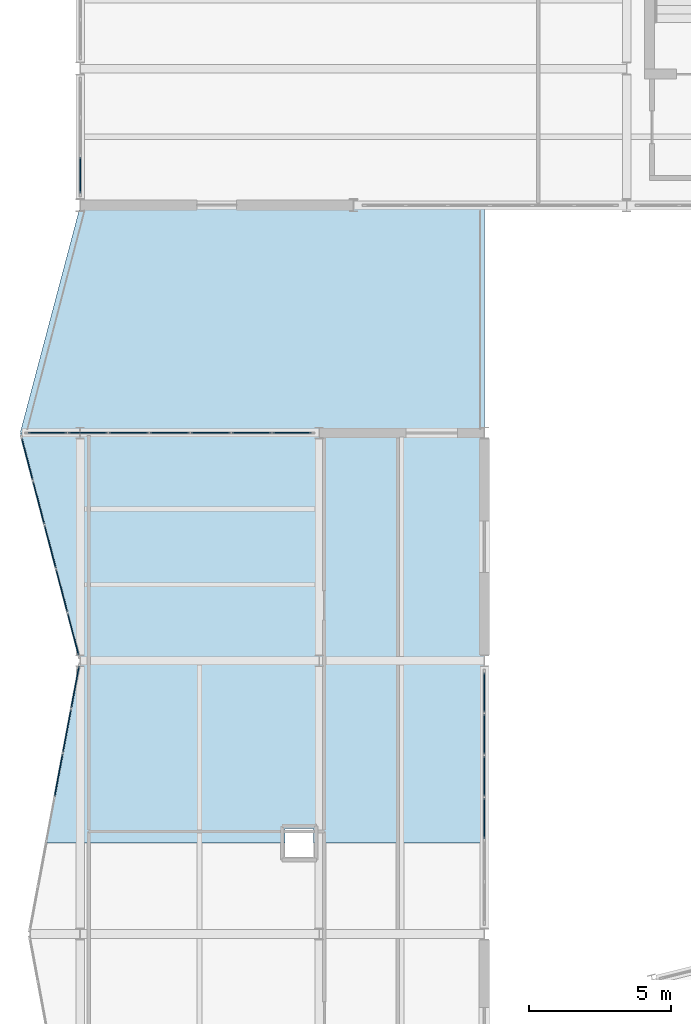
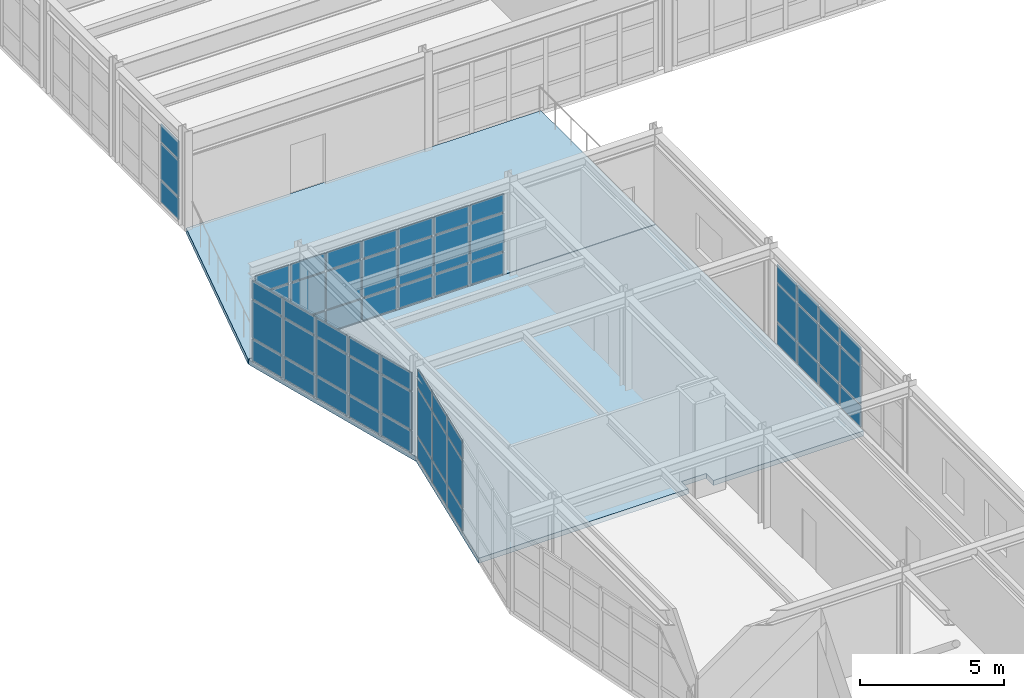
# One storey, part 30 of 47: 60 plates, 2 slabs, 5 elements without a shape of their own.
"""IFC4 building model written with IfcOpenShell, lengths in metres."""

import ifcopenshell
import ifcopenshell.guid

model = None  # the IFC model being written
_history = None  # IfcOwnerHistory: only IFC2X3 demands one
_inside = {}  # id of a spatial element -> (the spatial element, [elements in it])
_under = {}  # id of a project, library or spatial element -> (it, [spatial elements below it])
_declared = {}  # id of a project -> (the project, [libraries it declares])
_typed = {}  # id of a type object -> (the type object, [elements of that type])
_made_of = {}  # id of a material, layer set ... -> (it, [elements and type objects made of it])


def new_model(schema):
    """Start an empty IFC model of exactly this schema.

    Asked for "IFC4X3", IfcOpenShell would pick the latest addendum, in which some entities
    have other attributes; the version numbers below select the first issue.
    IFC2X3 requires an IfcOwnerHistory on every rooted entity: one is made here for all.
    """
    global model, _history
    if schema == "IFC4X3":
        model = ifcopenshell.file(schema_version=(4, 3, 0, 0))
    else:
        model = ifcopenshell.file(schema=schema)
    _inside.clear()
    _under.clear()
    _declared.clear()
    _typed.clear()
    _made_of.clear()
    _history = None
    if model.schema == "IFC2X3":
        org = make("IfcOrganization", Name="unknown")
        user = make(
            "IfcPersonAndOrganization",
            ThePerson=make("IfcPerson", FamilyName="unknown"),
            TheOrganization=org,
        )
        app = make(
            "IfcApplication",
            ApplicationDeveloper=org,
            Version="unknown",
            ApplicationFullName="unknown",
            ApplicationIdentifier="unknown",
        )
        _history = make(
            "IfcOwnerHistory",
            OwningUser=user,
            OwningApplication=app,
            ChangeAction="ADDED",
            CreationDate=0,
        )
    return model


def make(cls, **values):
    """One entity of the class cls with the attributes given. An attribute that is None is left unset."""
    return model.create_entity(
        cls, **{name: value for name, value in values.items() if value is not None}
    )


def rooted(cls, **values):
    """An entity with a GlobalId (a new one), such as an element, a storey or a relation."""
    return make(cls, GlobalId=ifcopenshell.guid.new(), OwnerHistory=_history, **values)


def si_unit(unit_type, name, prefix=None):
    """IfcSIUnit, for example si_unit("LENGTHUNIT", "METRE", prefix="MILLI")."""
    return make("IfcSIUnit", UnitType=unit_type, Prefix=prefix, Name=name)


def assignment(units):
    """IfcUnitAssignment: the units of a project."""
    return None if units is None else make("IfcUnitAssignment", Units=units)


def point(xyz):
    """IfcCartesianPoint."""
    return None if xyz is None else make("IfcCartesianPoint", Coordinates=xyz)


def direction(xyz):
    """IfcDirection."""
    return None if xyz is None else make("IfcDirection", DirectionRatios=xyz)


def frame(location, z_axis=None, x_axis=None):
    """IfcAxis2Placement3D, a coordinate frame: its origin and axes. An axis left out is left unset."""
    return make(
        "IfcAxis2Placement3D",
        Location=point(location),
        Axis=direction(z_axis),
        RefDirection=direction(x_axis),
    )


def frame_2d(location, x_axis=None):
    """IfcAxis2Placement2D, a coordinate frame in the plane: its origin and x axis."""
    return make(
        "IfcAxis2Placement2D", Location=point(location), RefDirection=direction(x_axis)
    )


def origin():
    """The frame at (0, 0, 0) with its axes left unset."""
    return frame((0.0, 0.0, 0.0))


def origin_2d():
    """The frame at (0, 0) in the plane with its x axis left unset."""
    return frame_2d((0.0, 0.0))


def place(relative_to, where):
    """IfcLocalPlacement: puts the frame where relative to a parent placement (None: the world)."""
    return make(
        "IfcLocalPlacement", PlacementRelTo=relative_to, RelativePlacement=where
    )


def context(
    kind, dimensions, precision=None, world=None, true_north=None, identifier=None
):
    """IfcGeometricRepresentationContext, for example the 3D "Model" context."""
    return make(
        "IfcGeometricRepresentationContext",
        ContextIdentifier=identifier,
        ContextType=kind,
        CoordinateSpaceDimension=dimensions,
        Precision=precision,
        WorldCoordinateSystem=world,
        TrueNorth=true_north,
    )


def subcontext(parent, identifier, kind, view, scale=None):
    """IfcGeometricRepresentationSubContext, for example "Body" below "Model"."""
    return make(
        "IfcGeometricRepresentationSubContext",
        ContextIdentifier=identifier,
        ContextType=kind,
        ParentContext=parent,
        TargetScale=scale,
        TargetView=view,
    )


def project(units=None, contexts=None):
    """IfcProject with its units and contexts."""
    return rooted(
        "IfcProject",
        Name="project",
        RepresentationContexts=contexts,
        UnitsInContext=assignment(units),
    )


def spatial(cls, under=None, at=None, **own):
    """A site, building, storey or space (cls), placed at a placement, below another one or the project."""
    s = rooted(cls, ObjectPlacement=at, **own)
    if under is not None:
        _under.setdefault(under.id(), (under, []))[1].append(s)
    return s


def polyline(points):
    """IfcPolyline through the points."""
    return make("IfcPolyline", Points=[point(p) for p in points])


def profile(cls, at=None, kind="AREA", **sizes):
    """A parametric profile (cls). Its sizes go by their IFC names, for example OverallWidth=200.0."""
    return make(cls, ProfileType=kind, Position=at, **sizes)


def rectangle(**sizes):
    """IfcRectangleProfileDef."""
    return profile("IfcRectangleProfileDef", **sizes)


def outline(outer, holes=None, kind="AREA"):
    """IfcArbitraryClosedProfileDef: a profile drawn as a closed curve; with holes, ...WithVoids."""
    if holes is None:
        return make("IfcArbitraryClosedProfileDef", ProfileType=kind, OuterCurve=outer)
    return make(
        "IfcArbitraryProfileDefWithVoids",
        ProfileType=kind,
        OuterCurve=outer,
        InnerCurves=holes,
    )


def extrude(swept, where, along, depth):
    """IfcExtrudedAreaSolid: the profile swept, set in the frame where, extruded along a direction by depth."""
    return make(
        "IfcExtrudedAreaSolid",
        SweptArea=swept,
        Position=where,
        ExtrudedDirection=direction(along),
        Depth=depth,
    )


def shape(context_of_items, identifier, shape_type, items):
    """IfcShapeRepresentation: the items that make up one representation, for example the "Body"."""
    return make(
        "IfcShapeRepresentation",
        ContextOfItems=context_of_items,
        RepresentationIdentifier=identifier,
        RepresentationType=shape_type,
        Items=items,
    )


def material(Name=None, Category=None):
    """IfcMaterial."""
    return make("IfcMaterial", Name=Name, Category=Category)


def layer(
    of_material, thickness, ventilated=None, Name=None, Category=None, Priority=None
):
    """IfcMaterialLayer: one layer of a wall or slab, of a material (None: an air gap)."""
    return make(
        "IfcMaterialLayer",
        Material=of_material,
        LayerThickness=thickness,
        IsVentilated=ventilated,
        Name=Name,
        Category=Category,
        Priority=Priority,
    )


def layer_set(layers, Name=None):
    """IfcMaterialLayerSet."""
    return make("IfcMaterialLayerSet", MaterialLayers=layers, LayerSetName=Name)


def made_of(thing, what):
    """Note that an element or type object is made of a material, layer set ...; save() writes the relation."""
    if what is not None:
        _made_of.setdefault(what.id(), (what, []))[1].append(thing)
    return thing


def type_object(cls, material=None, **own):
    """A type object (cls), such as IfcWallType, which elements share."""
    return made_of(rooted(cls, **own), material)


def element(
    cls,
    number,
    at=None,
    inside=None,
    cuts=None,
    type_object=None,
    material=None,
    context=None,
    identifier="Body",
    shape_type=None,
    held_by="IfcProductDefinitionShape",
    body=None,
    shapes=None,
    **own,
):
    """One element of the class cls, such as IfcWall. Its Tag is "e" and its number.

    at: its placement. inside: the storey or other place that contains it. cuts: it is an
    opening in that element (IfcRelVoidsElement). A single representation is given by context,
    identifier, shape_type and body (its items); several are given by shapes. held_by: the class
    of the entity that holds the representations. save() writes the other relations.
    """
    e = rooted(cls, Tag="e%d" % number, ObjectPlacement=at, **own)
    if body is not None:
        shapes = [shape(context, identifier, shape_type, body)]
    if shapes is not None:
        e.Representation = make(held_by, Representations=shapes)
    if inside is not None:
        _inside.setdefault(inside.id(), (inside, []))[1].append(e)
    if cuts is not None:
        rooted(
            "IfcRelVoidsElement", RelatingBuildingElement=cuts, RelatedOpeningElement=e
        )
    if type_object is not None:
        _typed.setdefault(type_object.id(), (type_object, []))[1].append(e)
    return made_of(e, material)


def aggregate(whole, parts):
    """IfcRelAggregates: a whole, such as a stair, and the parts it consists of."""
    return rooted("IfcRelAggregates", RelatingObject=whole, RelatedObjects=parts)


def save(model, path):
    """Write the relations noted so far, then the file.

    IfcRelAggregates (storeys below a building ...), IfcRelContainedInSpatialStructure (elements
    in a storey), IfcRelDefinesByType, IfcRelAssociatesMaterial and IfcRelDeclares: one each for
    every whole, place, type object, material and project.
    """
    for whole, parts in _under.values():
        aggregate(whole, parts)
    for where, things in _inside.values():
        rooted(
            "IfcRelContainedInSpatialStructure",
            RelatedElements=things,
            RelatingStructure=where,
        )
    for kind, things in _typed.values():
        rooted("IfcRelDefinesByType", RelatedObjects=things, RelatingType=kind)
    for what, things in _made_of.values():
        rooted("IfcRelAssociatesMaterial", RelatedObjects=things, RelatingMaterial=what)
    for by, libraries in _declared.values():
        rooted("IfcRelDeclares", RelatingContext=by, RelatedDefinitions=libraries)
    model.write(path)


model = new_model("IFC4")

# Units and contexts
model_context = context("Model", 3, precision=1e-05, world=origin(), true_north=direction((0.0, 1.0)))
body_context = subcontext(model_context, "Body", "Model", "MODEL_VIEW")
ifc_project = project(units=[si_unit("LENGTHUNIT", "METRE"), si_unit("AREAUNIT", "SQUARE_METRE"), si_unit("VOLUMEUNIT", "CUBIC_METRE"), si_unit("PLANEANGLEUNIT", "RADIAN"), si_unit("MASSUNIT", "GRAM", prefix="KILO")], contexts=[model_context])

# Site, building, storey
site_placement = place(None, origin())
site = spatial("IfcSite", under=ifc_project, at=site_placement, CompositionType="ELEMENT")
building_placement = place(site_placement, origin())
building = spatial("IfcBuilding", under=site, at=building_placement, Name="Nordkorset Police Headquarters", CompositionType="ELEMENT")
storey_placement = place(building_placement, frame((0.0, 0.0, 22.050048828125)))
storey = spatial("IfcBuildingStorey", under=building, at=storey_placement, Name="L05", CompositionType="ELEMENT", Elevation=22.050048828125)

# Curtain wall, plates
ifc_material_1 = material(Name="Aluminium alloy AW-6060", Category="aluminium")
ifc_layer_1 = layer(ifc_material_1, 0.179931640625, Name="Aluminium alloy AW-6060")
ifc_layer_set_1 = layer_set([ifc_layer_1], Name="Aluminium alloy AW-6060")
curtain_wall_type_1 = type_object("IfcCurtainWallType", Name="CW_Unit_408x344", PredefinedType="USERDEFINED", material=ifc_layer_set_1)
curtain_wall_1_placement = place(storey_placement, origin())
curtain_wall_1 = element("IfcCurtainWall", 1, at=curtain_wall_1_placement, inside=storey, type_object=curtain_wall_type_1, Name="Unitised Curtain Wall L05 V1W-0", ObjectType="UNITISED CURTAIN WALL", PredefinedType="USERDEFINED")
ifc_material_2 = material(Name="Low-iron triple glazing", Category="glass")
ifc_layer_2 = layer(ifc_material_2, 0.035888671875, Name="Low-iron triple glazing")
ifc_layer_set_2 = layer_set([ifc_layer_2], Name="Low-iron triple glazing")
plate_type = type_object("IfcPlateType", Name="CW_Panel_TripleGlazing_36", PredefinedType="CURTAIN_PANEL", material=ifc_layer_set_2)
plate_1_placement = place(storey_placement, frame((0.0, 84.25634765625, 0.06494140625), z_axis=(0.0, 0.0, 1.0), x_axis=(0.0, 1.0, 0.0)))
plate_1 = element("IfcPlate", 2, at=plate_1_placement, type_object=plate_type, Name="CW-29 panel 1.1", PredefinedType="CURTAIN_PANEL", context=body_context, shape_type="SweptSolid", body=[
    extrude(rectangle(XDim=1.262451171875, YDim=0.035888671875, at=origin_2d()), origin(), (0.0, 0.0, 1.0), 0.902587890625),
])
plate_2_placement = place(storey_placement, frame((0.0, 84.25634765625, 1.032470703125), z_axis=(0.0, 0.0, 1.0), x_axis=(0.0, 1.0, 0.0)))
plate_2 = element("IfcPlate", 3, at=plate_2_placement, type_object=plate_type, Name="CW-29 panel 1.2", PredefinedType="CURTAIN_PANEL", context=body_context, shape_type="SweptSolid", body=[
    extrude(rectangle(XDim=1.262451171875, YDim=0.035888671875, at=origin_2d()), origin(), (0.0, 0.0, 1.0), 1.52490234375),
])
plate_3_placement = place(storey_placement, frame((0.0, 84.25634765625, 2.62255859375), z_axis=(0.0, 0.0, 1.0), x_axis=(0.0, 1.0, 0.0)))
plate_3 = element("IfcPlate", 4, at=plate_3_placement, type_object=plate_type, Name="CW-29 panel 1.3", PredefinedType="CURTAIN_PANEL", context=body_context, shape_type="SweptSolid", body=[
    extrude(rectangle(XDim=1.262451171875, YDim=0.035888671875, at=origin_2d()), origin(), (0.0, 0.0, 1.0), 0.75244140625),
])
aggregate(curtain_wall_1, [plate_1, plate_2, plate_3])

ifc_material_3 = material(Name="Aluminium alloy AW-6060", Category="aluminium")
ifc_layer_3 = layer(ifc_material_3, 0.179931640625, Name="Aluminium alloy AW-6060")
ifc_layer_set_3 = layer_set([ifc_layer_3], Name="Aluminium alloy AW-6060")
curtain_wall_type_2 = type_object("IfcCurtainWallType", Name="CW_Unit_949x392", PredefinedType="USERDEFINED", material=ifc_layer_set_3)
curtain_wall_2_placement = place(storey_placement, origin())
curtain_wall_2 = element("IfcCurtainWall", 5, at=curtain_wall_2_placement, inside=storey, type_object=curtain_wall_type_2, Name="Unitised Curtain Wall L05 V3W-3", ObjectType="UNITISED CURTAIN WALL", PredefinedType="USERDEFINED")
plate_4_placement = place(storey_placement, frame((-0.75439453125, 63.177001953125, 0.06494140625), z_axis=(0.0, 0.0, 1.0), x_axis=(0.184288535048, 0.982872186935, 0.0)))
plate_4 = element("IfcPlate", 6, at=plate_4_placement, type_object=plate_type, Name="CW-49 panel 4.1", PredefinedType="CURTAIN_PANEL", context=body_context, shape_type="SweptSolid", body=[
    extrude(rectangle(XDim=1.51611328125, YDim=0.035888671875, at=origin_2d()), origin(), (0.0, 0.0, 1.0), 0.902587890625),
])
plate_5_placement = place(storey_placement, frame((-0.75439453125, 63.177001953125, 1.032470703125), z_axis=(0.0, 0.0, 1.0), x_axis=(0.184288535048, 0.982872186935, 0.0)))
plate_5 = element("IfcPlate", 7, at=plate_5_placement, type_object=plate_type, Name="CW-49 panel 4.2", PredefinedType="CURTAIN_PANEL", context=body_context, shape_type="SweptSolid", body=[
    extrude(rectangle(XDim=1.51611328125, YDim=0.035888671875, at=origin_2d()), origin(), (0.0, 0.0, 1.0), 2.0048828125),
])
plate_6_placement = place(storey_placement, frame((-0.75439453125, 63.177001953125, 3.1025390625), z_axis=(0.0, 0.0, 1.0), x_axis=(0.184288535048, 0.982872186935, 0.0)))
plate_6 = element("IfcPlate", 8, at=plate_6_placement, type_object=plate_type, Name="CW-49 panel 4.3", PredefinedType="CURTAIN_PANEL", context=body_context, shape_type="SweptSolid", body=[
    extrude(rectangle(XDim=1.51611328125, YDim=0.035888671875, at=origin_2d()), origin(), (0.0, 0.0, 1.0), 0.75244140625),
])
plate_7_placement = place(storey_placement, frame((-0.462890625, 64.731201171875, 0.06494140625), z_axis=(0.0, 0.0, 1.0), x_axis=(0.184288535048, 0.982872186935, 0.0)))
plate_7 = element("IfcPlate", 9, at=plate_7_placement, type_object=plate_type, Name="CW-49 panel 5.1", PredefinedType="CURTAIN_PANEL", context=body_context, shape_type="SweptSolid", body=[
    extrude(rectangle(XDim=1.51611328125, YDim=0.035888671875, at=origin_2d()), origin(), (0.0, 0.0, 1.0), 0.902587890625),
])
plate_8_placement = place(storey_placement, frame((-0.462890625, 64.731201171875, 1.032470703125), z_axis=(0.0, 0.0, 1.0), x_axis=(0.184288535048, 0.982872186935, 0.0)))
plate_8 = element("IfcPlate", 10, at=plate_8_placement, type_object=plate_type, Name="CW-49 panel 5.2", PredefinedType="CURTAIN_PANEL", context=body_context, shape_type="SweptSolid", body=[
    extrude(rectangle(XDim=1.51611328125, YDim=0.035888671875, at=origin_2d()), origin(), (0.0, 0.0, 1.0), 2.0048828125),
])
plate_9_placement = place(storey_placement, frame((-0.462890625, 64.731201171875, 3.1025390625), z_axis=(0.0, 0.0, 1.0), x_axis=(0.184288535048, 0.982872186935, 0.0)))
plate_9 = element("IfcPlate", 11, at=plate_9_placement, type_object=plate_type, Name="CW-49 panel 5.3", PredefinedType="CURTAIN_PANEL", context=body_context, shape_type="SweptSolid", body=[
    extrude(rectangle(XDim=1.51611328125, YDim=0.035888671875, at=origin_2d()), origin(), (0.0, 0.0, 1.0), 0.75244140625),
])
plate_10_placement = place(storey_placement, frame((-0.174560546875, 66.269287109375, 0.06494140625), z_axis=(0.0, 0.0, 1.0), x_axis=(0.184288535048, 0.982872186935, 0.0)))
plate_10 = element("IfcPlate", 12, at=plate_10_placement, type_object=plate_type, Name="CW-49 panel 6.1", PredefinedType="CURTAIN_PANEL", context=body_context, shape_type="SweptSolid", body=[
    extrude(rectangle(XDim=1.483642578125, YDim=0.035888671875, at=origin_2d()), origin(), (0.0, 0.0, 1.0), 0.902587890625),
])
plate_11_placement = place(storey_placement, frame((-0.174560546875, 66.269287109375, 1.032470703125), z_axis=(0.0, 0.0, 1.0), x_axis=(0.184288535048, 0.982872186935, 0.0)))
plate_11 = element("IfcPlate", 13, at=plate_11_placement, type_object=plate_type, Name="CW-49 panel 6.2", PredefinedType="CURTAIN_PANEL", context=body_context, shape_type="SweptSolid", body=[
    extrude(rectangle(XDim=1.483642578125, YDim=0.035888671875, at=origin_2d()), origin(), (0.0, 0.0, 1.0), 2.0048828125),
])
plate_12_placement = place(storey_placement, frame((-0.174560546875, 66.269287109375, 3.1025390625), z_axis=(0.0, 0.0, 1.0), x_axis=(0.184288535048, 0.982872186935, 0.0)))
plate_12 = element("IfcPlate", 14, at=plate_12_placement, type_object=plate_type, Name="CW-49 panel 6.3", PredefinedType="CURTAIN_PANEL", context=body_context, shape_type="SweptSolid", body=[
    extrude(rectangle(XDim=1.483642578125, YDim=0.035888671875, at=origin_2d()), origin(), (0.0, 0.0, 1.0), 0.75244140625),
])
aggregate(curtain_wall_2, [plate_4, plate_5, plate_6, plate_7, plate_8, plate_9, plate_10, plate_11, plate_12])

ifc_material_4 = material(Name="Aluminium alloy AW-6060", Category="aluminium")
ifc_layer_4 = layer(ifc_material_4, 0.179931640625, Name="Aluminium alloy AW-6060")
ifc_layer_set_4 = layer_set([ifc_layer_4], Name="Aluminium alloy AW-6060")
curtain_wall_type_3 = type_object("IfcCurtainWallType", Name="CW_Unit_888x350", PredefinedType="USERDEFINED", material=ifc_layer_set_4)
curtain_wall_3_placement = place(storey_placement, origin())
curtain_wall_3 = element("IfcCurtainWall", 15, at=curtain_wall_3_placement, inside=storey, type_object=curtain_wall_type_3, Name="Unitised Curtain Wall L05 V3E-3", ObjectType="UNITISED CURTAIN WALL", PredefinedType="USERDEFINED")
plate_13_placement = place(storey_placement, frame((14.199951171875, 61.659912109375, 0.06494140625), z_axis=(0.0, 0.0, 1.0), x_axis=(0.0, 1.0, 0.0)))
plate_13 = element("IfcPlate", 16, at=plate_13_placement, type_object=plate_type, Name="CW-95 panel 3.1", PredefinedType="CURTAIN_PANEL", context=body_context, shape_type="SweptSolid", body=[
    extrude(rectangle(XDim=1.4150390625, YDim=0.035888671875, at=origin_2d()), origin(), (0.0, 0.0, 1.0), 0.902587890625),
])
plate_14_placement = place(storey_placement, frame((14.199951171875, 61.659912109375, 1.0322265625), z_axis=(0.0, 0.0, 1.0), x_axis=(0.0, 1.0, 0.0)))
plate_14 = element("IfcPlate", 17, at=plate_14_placement, type_object=plate_type, Name="CW-95 panel 3.2", PredefinedType="CURTAIN_PANEL", context=body_context, shape_type="SweptSolid", body=[
    extrude(rectangle(XDim=1.4150390625, YDim=0.035888671875, at=origin_2d()), origin(), (0.0, 0.0, 1.0), 1.590087890625),
])
plate_15_placement = place(storey_placement, frame((14.199951171875, 61.659912109375, 2.6875), z_axis=(0.0, 0.0, 1.0), x_axis=(0.0, 1.0, 0.0)))
plate_15 = element("IfcPlate", 18, at=plate_15_placement, type_object=plate_type, Name="CW-95 panel 3.3", PredefinedType="CURTAIN_PANEL", context=body_context, shape_type="SweptSolid", body=[
    extrude(rectangle(XDim=1.4150390625, YDim=0.035888671875, at=origin_2d()), origin(), (0.0, 0.0, 1.0), 0.75244140625),
])
plate_16_placement = place(storey_placement, frame((14.199951171875, 63.139892578125, 0.06494140625), z_axis=(0.0, 0.0, 1.0), x_axis=(0.0, 1.0, 0.0)))
plate_16 = element("IfcPlate", 19, at=plate_16_placement, type_object=plate_type, Name="CW-95 panel 4.1", PredefinedType="CURTAIN_PANEL", context=body_context, shape_type="SweptSolid", body=[
    extrude(rectangle(XDim=1.4150390625, YDim=0.035888671875, at=origin_2d()), origin(), (0.0, 0.0, 1.0), 0.902587890625),
])
plate_17_placement = place(storey_placement, frame((14.199951171875, 63.139892578125, 1.0322265625), z_axis=(0.0, 0.0, 1.0), x_axis=(0.0, 1.0, 0.0)))
plate_17 = element("IfcPlate", 20, at=plate_17_placement, type_object=plate_type, Name="CW-95 panel 4.2", PredefinedType="CURTAIN_PANEL", context=body_context, shape_type="SweptSolid", body=[
    extrude(rectangle(XDim=1.4150390625, YDim=0.035888671875, at=origin_2d()), origin(), (0.0, 0.0, 1.0), 1.590087890625),
])
plate_18_placement = place(storey_placement, frame((14.199951171875, 63.139892578125, 2.6875), z_axis=(0.0, 0.0, 1.0), x_axis=(0.0, 1.0, 0.0)))
plate_18 = element("IfcPlate", 21, at=plate_18_placement, type_object=plate_type, Name="CW-95 panel 4.3", PredefinedType="CURTAIN_PANEL", context=body_context, shape_type="SweptSolid", body=[
    extrude(rectangle(XDim=1.4150390625, YDim=0.035888671875, at=origin_2d()), origin(), (0.0, 0.0, 1.0), 0.75244140625),
])
plate_19_placement = place(storey_placement, frame((14.199951171875, 64.6201171875, 0.06494140625), z_axis=(0.0, 0.0, 1.0), x_axis=(0.0, 1.0, 0.0)))
plate_19 = element("IfcPlate", 22, at=plate_19_placement, type_object=plate_type, Name="CW-95 panel 5.1", PredefinedType="CURTAIN_PANEL", context=body_context, shape_type="SweptSolid", body=[
    extrude(rectangle(XDim=1.4150390625, YDim=0.035888671875, at=origin_2d()), origin(), (0.0, 0.0, 1.0), 0.902587890625),
])
plate_20_placement = place(storey_placement, frame((14.199951171875, 64.6201171875, 1.0322265625), z_axis=(0.0, 0.0, 1.0), x_axis=(0.0, 1.0, 0.0)))
plate_20 = element("IfcPlate", 23, at=plate_20_placement, type_object=plate_type, Name="CW-95 panel 5.2", PredefinedType="CURTAIN_PANEL", context=body_context, shape_type="SweptSolid", body=[
    extrude(rectangle(XDim=1.4150390625, YDim=0.035888671875, at=origin_2d()), origin(), (0.0, 0.0, 1.0), 1.590087890625),
])
plate_21_placement = place(storey_placement, frame((14.199951171875, 64.6201171875, 2.6875), z_axis=(0.0, 0.0, 1.0), x_axis=(0.0, 1.0, 0.0)))
plate_21 = element("IfcPlate", 24, at=plate_21_placement, type_object=plate_type, Name="CW-95 panel 5.3", PredefinedType="CURTAIN_PANEL", context=body_context, shape_type="SweptSolid", body=[
    extrude(rectangle(XDim=1.4150390625, YDim=0.035888671875, at=origin_2d()), origin(), (0.0, 0.0, 1.0), 0.75244140625),
])
plate_22_placement = place(storey_placement, frame((14.199951171875, 66.083740234375, 0.06494140625), z_axis=(0.0, 0.0, 1.0), x_axis=(0.0, 1.0, 0.0)))
plate_22 = element("IfcPlate", 25, at=plate_22_placement, type_object=plate_type, Name="CW-95 panel 6.1", PredefinedType="CURTAIN_PANEL", context=body_context, shape_type="SweptSolid", body=[
    extrude(rectangle(XDim=1.382568359375, YDim=0.035888671875, at=origin_2d()), origin(), (0.0, 0.0, 1.0), 0.902587890625),
])
plate_23_placement = place(storey_placement, frame((14.199951171875, 66.083740234375, 1.0322265625), z_axis=(0.0, 0.0, 1.0), x_axis=(0.0, 1.0, 0.0)))
plate_23 = element("IfcPlate", 26, at=plate_23_placement, type_object=plate_type, Name="CW-95 panel 6.2", PredefinedType="CURTAIN_PANEL", context=body_context, shape_type="SweptSolid", body=[
    extrude(rectangle(XDim=1.382568359375, YDim=0.035888671875, at=origin_2d()), origin(), (0.0, 0.0, 1.0), 1.590087890625),
])
plate_24_placement = place(storey_placement, frame((14.199951171875, 66.083740234375, 2.6875), z_axis=(0.0, 0.0, 1.0), x_axis=(0.0, 1.0, 0.0)))
plate_24 = element("IfcPlate", 27, at=plate_24_placement, type_object=plate_type, Name="CW-95 panel 6.3", PredefinedType="CURTAIN_PANEL", context=body_context, shape_type="SweptSolid", body=[
    extrude(rectangle(XDim=1.382568359375, YDim=0.035888671875, at=origin_2d()), origin(), (0.0, 0.0, 1.0), 0.75244140625),
])
aggregate(curtain_wall_3, [plate_13, plate_14, plate_15, plate_16, plate_17, plate_18, plate_19, plate_20, plate_21, plate_22, plate_23, plate_24])

ifc_material_5 = material(Name="Aluminium alloy AW-6060", Category="aluminium")
ifc_layer_5 = layer(ifc_material_5, 0.179931640625, Name="Aluminium alloy AW-6060")
ifc_layer_set_5 = layer_set([ifc_layer_5], Name="Aluminium alloy AW-6060")
curtain_wall_type_4 = type_object("IfcCurtainWallType", Name="CW_Unit_799x350", PredefinedType="USERDEFINED", material=ifc_layer_set_5)
curtain_wall_4_placement = place(storey_placement, origin())
curtain_wall_4 = element("IfcCurtainWall", 28, at=curtain_wall_4_placement, inside=storey, type_object=curtain_wall_type_4, Name="Unitised Curtain Wall L05 V3W-4", ObjectType="UNITISED CURTAIN WALL", PredefinedType="USERDEFINED")
plate_25_placement = place(storey_placement, frame((-0.24267578125, 68.1240234375, 0.06494140625), z_axis=(0.0, 0.0, 1.0), x_axis=(-0.25389698695, 0.967231265013, 0.0)))
plate_25 = element("IfcPlate", 29, at=plate_25_placement, type_object=plate_type, Name="CW-107 panel 1.1", PredefinedType="CURTAIN_PANEL", context=body_context, shape_type="SweptSolid", body=[
    extrude(rectangle(XDim=1.500732421875, YDim=0.035888671875, at=origin_2d()), origin(), (0.0, 0.0, 1.0), 0.902587890625),
])
plate_26_placement = place(storey_placement, frame((-0.24267578125, 68.1240234375, 1.0322265625), z_axis=(0.0, 0.0, 1.0), x_axis=(-0.25389698695, 0.967231265013, 0.0)))
plate_26 = element("IfcPlate", 30, at=plate_26_placement, type_object=plate_type, Name="CW-107 panel 1.2", PredefinedType="CURTAIN_PANEL", context=body_context, shape_type="SweptSolid", body=[
    extrude(rectangle(XDim=1.500732421875, YDim=0.035888671875, at=origin_2d()), origin(), (0.0, 0.0, 1.0), 1.590087890625),
])
plate_27_placement = place(storey_placement, frame((-0.24267578125, 68.1240234375, 2.6875), z_axis=(0.0, 0.0, 1.0), x_axis=(-0.25389698695, 0.967231265013, 0.0)))
plate_27 = element("IfcPlate", 31, at=plate_27_placement, type_object=plate_type, Name="CW-107 panel 1.3", PredefinedType="CURTAIN_PANEL", context=body_context, shape_type="SweptSolid", body=[
    extrude(rectangle(XDim=1.500732421875, YDim=0.035888671875, at=origin_2d()), origin(), (0.0, 0.0, 1.0), 0.75244140625),
])
plate_28_placement = place(storey_placement, frame((-0.644287109375, 69.654052734375, 0.06494140625), z_axis=(0.0, 0.0, 1.0), x_axis=(-0.25389698695, 0.967231265013, 0.0)))
plate_28 = element("IfcPlate", 32, at=plate_28_placement, type_object=plate_type, Name="CW-107 panel 2.1", PredefinedType="CURTAIN_PANEL", context=body_context, shape_type="SweptSolid", body=[
    extrude(rectangle(XDim=1.533203125, YDim=0.035888671875, at=origin_2d()), origin(), (0.0, 0.0, 1.0), 0.902587890625),
])
plate_29_placement = place(storey_placement, frame((-0.644287109375, 69.654052734375, 1.0322265625), z_axis=(0.0, 0.0, 1.0), x_axis=(-0.25389698695, 0.967231265013, 0.0)))
plate_29 = element("IfcPlate", 33, at=plate_29_placement, type_object=plate_type, Name="CW-107 panel 2.2", PredefinedType="CURTAIN_PANEL", context=body_context, shape_type="SweptSolid", body=[
    extrude(rectangle(XDim=1.533203125, YDim=0.035888671875, at=origin_2d()), origin(), (0.0, 0.0, 1.0), 1.590087890625),
])
plate_30_placement = place(storey_placement, frame((-0.644287109375, 69.654052734375, 2.6875), z_axis=(0.0, 0.0, 1.0), x_axis=(-0.25389698695, 0.967231265013, 0.0)))
plate_30 = element("IfcPlate", 34, at=plate_30_placement, type_object=plate_type, Name="CW-107 panel 2.3", PredefinedType="CURTAIN_PANEL", context=body_context, shape_type="SweptSolid", body=[
    extrude(rectangle(XDim=1.533203125, YDim=0.035888671875, at=origin_2d()), origin(), (0.0, 0.0, 1.0), 0.75244140625),
])
plate_31_placement = place(storey_placement, frame((-1.050048828125, 71.199951171875, 0.06494140625), z_axis=(0.0, 0.0, 1.0), x_axis=(-0.25389698695, 0.967231265013, 0.0)))
plate_31 = element("IfcPlate", 35, at=plate_31_placement, type_object=plate_type, Name="CW-107 panel 3.1", PredefinedType="CURTAIN_PANEL", context=body_context, shape_type="SweptSolid", body=[
    extrude(rectangle(XDim=1.533203125, YDim=0.035888671875, at=origin_2d()), origin(), (0.0, 0.0, 1.0), 0.902587890625),
])
plate_32_placement = place(storey_placement, frame((-1.050048828125, 71.199951171875, 1.0322265625), z_axis=(0.0, 0.0, 1.0), x_axis=(-0.25389698695, 0.967231265013, 0.0)))
plate_32 = element("IfcPlate", 36, at=plate_32_placement, type_object=plate_type, Name="CW-107 panel 3.2", PredefinedType="CURTAIN_PANEL", context=body_context, shape_type="SweptSolid", body=[
    extrude(rectangle(XDim=1.533203125, YDim=0.035888671875, at=origin_2d()), origin(), (0.0, 0.0, 1.0), 1.590087890625),
])
plate_33_placement = place(storey_placement, frame((-1.050048828125, 71.199951171875, 2.6875), z_axis=(0.0, 0.0, 1.0), x_axis=(-0.25389698695, 0.967231265013, 0.0)))
plate_33 = element("IfcPlate", 37, at=plate_33_placement, type_object=plate_type, Name="CW-107 panel 3.3", PredefinedType="CURTAIN_PANEL", context=body_context, shape_type="SweptSolid", body=[
    extrude(rectangle(XDim=1.533203125, YDim=0.035888671875, at=origin_2d()), origin(), (0.0, 0.0, 1.0), 0.75244140625),
])
plate_34_placement = place(storey_placement, frame((-1.455810546875, 72.745849609375, 0.06494140625), z_axis=(0.0, 0.0, 1.0), x_axis=(-0.25389698695, 0.967231265013, 0.0)))
plate_34 = element("IfcPlate", 38, at=plate_34_placement, type_object=plate_type, Name="CW-107 panel 4.1", PredefinedType="CURTAIN_PANEL", context=body_context, shape_type="SweptSolid", body=[
    extrude(rectangle(XDim=1.533203125, YDim=0.035888671875, at=origin_2d()), origin(), (0.0, 0.0, 1.0), 0.902587890625),
])
plate_35_placement = place(storey_placement, frame((-1.455810546875, 72.745849609375, 1.0322265625), z_axis=(0.0, 0.0, 1.0), x_axis=(-0.25389698695, 0.967231265013, 0.0)))
plate_35 = element("IfcPlate", 39, at=plate_35_placement, type_object=plate_type, Name="CW-107 panel 4.2", PredefinedType="CURTAIN_PANEL", context=body_context, shape_type="SweptSolid", body=[
    extrude(rectangle(XDim=1.533203125, YDim=0.035888671875, at=origin_2d()), origin(), (0.0, 0.0, 1.0), 1.590087890625),
])
plate_36_placement = place(storey_placement, frame((-1.455810546875, 72.745849609375, 2.6875), z_axis=(0.0, 0.0, 1.0), x_axis=(-0.25389698695, 0.967231265013, 0.0)))
plate_36 = element("IfcPlate", 40, at=plate_36_placement, type_object=plate_type, Name="CW-107 panel 4.3", PredefinedType="CURTAIN_PANEL", context=body_context, shape_type="SweptSolid", body=[
    extrude(rectangle(XDim=1.533203125, YDim=0.035888671875, at=origin_2d()), origin(), (0.0, 0.0, 1.0), 0.75244140625),
])
plate_37_placement = place(storey_placement, frame((-1.857421875, 74.27587890625, 0.06494140625), z_axis=(0.0, 0.0, 1.0), x_axis=(-0.25389698695, 0.967231265013, 0.0)))
plate_37 = element("IfcPlate", 41, at=plate_37_placement, type_object=plate_type, Name="CW-107 panel 5.1", PredefinedType="CURTAIN_PANEL", context=body_context, shape_type="SweptSolid", body=[
    extrude(rectangle(XDim=1.500732421875, YDim=0.035888671875, at=origin_2d()), origin(), (0.0, 0.0, 1.0), 0.902587890625),
])
plate_38_placement = place(storey_placement, frame((-1.857421875, 74.27587890625, 1.0322265625), z_axis=(0.0, 0.0, 1.0), x_axis=(-0.25389698695, 0.967231265013, 0.0)))
plate_38 = element("IfcPlate", 42, at=plate_38_placement, type_object=plate_type, Name="CW-107 panel 5.2", PredefinedType="CURTAIN_PANEL", context=body_context, shape_type="SweptSolid", body=[
    extrude(rectangle(XDim=1.500732421875, YDim=0.035888671875, at=origin_2d()), origin(), (0.0, 0.0, 1.0), 1.590087890625),
])
plate_39_placement = place(storey_placement, frame((-1.857421875, 74.27587890625, 2.6875), z_axis=(0.0, 0.0, 1.0), x_axis=(-0.25389698695, 0.967231265013, 0.0)))
plate_39 = element("IfcPlate", 43, at=plate_39_placement, type_object=plate_type, Name="CW-107 panel 5.3", PredefinedType="CURTAIN_PANEL", context=body_context, shape_type="SweptSolid", body=[
    extrude(rectangle(XDim=1.500732421875, YDim=0.035888671875, at=origin_2d()), origin(), (0.0, 0.0, 1.0), 0.75244140625),
])
aggregate(curtain_wall_4, [plate_25, plate_26, plate_27, plate_28, plate_29, plate_30, plate_31, plate_32, plate_33, plate_34, plate_35, plate_36, plate_37, plate_38, plate_39])

ifc_material_6 = material(Name="Aluminium alloy AW-6060", Category="aluminium")
ifc_layer_6 = layer(ifc_material_6, 0.179931640625, Name="Aluminium alloy AW-6060")
ifc_layer_set_6 = layer_set([ifc_layer_6], Name="Aluminium alloy AW-6060")
curtain_wall_type_5 = type_object("IfcCurtainWallType", Name="CW_Unit_1006x350", PredefinedType="USERDEFINED", material=ifc_layer_set_6)
curtain_wall_5_placement = place(storey_placement, origin())
curtain_wall_5 = element("IfcCurtainWall", 44, at=curtain_wall_5_placement, inside=storey, type_object=curtain_wall_type_5, Name="Unitised Curtain Wall L05 V3N-L05A", ObjectType="UNITISED CURTAIN WALL", PredefinedType="USERDEFINED")
plate_40_placement = place(storey_placement, frame((-1.145263671875, 75.199951171875, 0.06494140625), z_axis=(0.0, 0.0, 1.0), x_axis=(1.0, 0.0, 0.0)))
plate_40 = element("IfcPlate", 45, at=plate_40_placement, type_object=plate_type, Name="CW-46 panel 1.1", PredefinedType="CURTAIN_PANEL", context=body_context, shape_type="SweptSolid", body=[
    extrude(rectangle(XDim=1.339599609375, YDim=0.035888671875, at=origin_2d()), origin(), (0.0, 0.0, 1.0), 0.902587890625),
])
plate_41_placement = place(storey_placement, frame((-1.145263671875, 75.199951171875, 1.0322265625), z_axis=(0.0, 0.0, 1.0), x_axis=(1.0, 0.0, 0.0)))
plate_41 = element("IfcPlate", 46, at=plate_41_placement, type_object=plate_type, Name="CW-46 panel 1.2", PredefinedType="CURTAIN_PANEL", context=body_context, shape_type="SweptSolid", body=[
    extrude(rectangle(XDim=1.339599609375, YDim=0.035888671875, at=origin_2d()), origin(), (0.0, 0.0, 1.0), 1.590087890625),
])
plate_42_placement = place(storey_placement, frame((-1.145263671875, 75.199951171875, 2.6875), z_axis=(0.0, 0.0, 1.0), x_axis=(1.0, 0.0, 0.0)))
plate_42 = element("IfcPlate", 47, at=plate_42_placement, type_object=plate_type, Name="CW-46 panel 1.3", PredefinedType="CURTAIN_PANEL", context=body_context, shape_type="SweptSolid", body=[
    extrude(rectangle(XDim=1.339599609375, YDim=0.035888671875, at=origin_2d()), origin(), (0.0, 0.0, 1.0), 0.75244140625),
])
plate_43_placement = place(storey_placement, frame((0.275634765625, 75.199951171875, 0.06494140625), z_axis=(0.0, 0.0, 1.0), x_axis=(1.0, 0.0, 0.0)))
plate_43 = element("IfcPlate", 48, at=plate_43_placement, type_object=plate_type, Name="CW-46 panel 2.1", PredefinedType="CURTAIN_PANEL", context=body_context, shape_type="SweptSolid", body=[
    extrude(rectangle(XDim=1.3720703125, YDim=0.035888671875, at=origin_2d()), origin(), (0.0, 0.0, 1.0), 0.902587890625),
])
plate_44_placement = place(storey_placement, frame((0.275634765625, 75.199951171875, 1.0322265625), z_axis=(0.0, 0.0, 1.0), x_axis=(1.0, 0.0, 0.0)))
plate_44 = element("IfcPlate", 49, at=plate_44_placement, type_object=plate_type, Name="CW-46 panel 2.2", PredefinedType="CURTAIN_PANEL", context=body_context, shape_type="SweptSolid", body=[
    extrude(rectangle(XDim=1.3720703125, YDim=0.035888671875, at=origin_2d()), origin(), (0.0, 0.0, 1.0), 1.590087890625),
])
plate_45_placement = place(storey_placement, frame((0.275634765625, 75.199951171875, 2.6875), z_axis=(0.0, 0.0, 1.0), x_axis=(1.0, 0.0, 0.0)))
plate_45 = element("IfcPlate", 50, at=plate_45_placement, type_object=plate_type, Name="CW-46 panel 2.3", PredefinedType="CURTAIN_PANEL", context=body_context, shape_type="SweptSolid", body=[
    extrude(rectangle(XDim=1.3720703125, YDim=0.035888671875, at=origin_2d()), origin(), (0.0, 0.0, 1.0), 0.75244140625),
])
plate_46_placement = place(storey_placement, frame((1.712890625, 75.199951171875, 0.06494140625), z_axis=(0.0, 0.0, 1.0), x_axis=(1.0, 0.0, 0.0)))
plate_46 = element("IfcPlate", 51, at=plate_46_placement, type_object=plate_type, Name="CW-46 panel 3.1", PredefinedType="CURTAIN_PANEL", context=body_context, shape_type="SweptSolid", body=[
    extrude(rectangle(XDim=1.3720703125, YDim=0.035888671875, at=origin_2d()), origin(), (0.0, 0.0, 1.0), 0.902587890625),
])
plate_47_placement = place(storey_placement, frame((1.712890625, 75.199951171875, 1.0322265625), z_axis=(0.0, 0.0, 1.0), x_axis=(1.0, 0.0, 0.0)))
plate_47 = element("IfcPlate", 52, at=plate_47_placement, type_object=plate_type, Name="CW-46 panel 3.2", PredefinedType="CURTAIN_PANEL", context=body_context, shape_type="SweptSolid", body=[
    extrude(rectangle(XDim=1.3720703125, YDim=0.035888671875, at=origin_2d()), origin(), (0.0, 0.0, 1.0), 1.590087890625),
])
plate_48_placement = place(storey_placement, frame((1.712890625, 75.199951171875, 2.6875), z_axis=(0.0, 0.0, 1.0), x_axis=(1.0, 0.0, 0.0)))
plate_48 = element("IfcPlate", 53, at=plate_48_placement, type_object=plate_type, Name="CW-46 panel 3.3", PredefinedType="CURTAIN_PANEL", context=body_context, shape_type="SweptSolid", body=[
    extrude(rectangle(XDim=1.3720703125, YDim=0.035888671875, at=origin_2d()), origin(), (0.0, 0.0, 1.0), 0.75244140625),
])
plate_49_placement = place(storey_placement, frame((3.14990234375, 75.199951171875, 0.06494140625), z_axis=(0.0, 0.0, 1.0), x_axis=(1.0, 0.0, 0.0)))
plate_49 = element("IfcPlate", 54, at=plate_49_placement, type_object=plate_type, Name="CW-46 panel 4.1", PredefinedType="CURTAIN_PANEL", context=body_context, shape_type="SweptSolid", body=[
    extrude(rectangle(XDim=1.3720703125, YDim=0.035888671875, at=origin_2d()), origin(), (0.0, 0.0, 1.0), 0.902587890625),
])
plate_50_placement = place(storey_placement, frame((3.14990234375, 75.199951171875, 1.0322265625), z_axis=(0.0, 0.0, 1.0), x_axis=(1.0, 0.0, 0.0)))
plate_50 = element("IfcPlate", 55, at=plate_50_placement, type_object=plate_type, Name="CW-46 panel 4.2", PredefinedType="CURTAIN_PANEL", context=body_context, shape_type="SweptSolid", body=[
    extrude(rectangle(XDim=1.3720703125, YDim=0.035888671875, at=origin_2d()), origin(), (0.0, 0.0, 1.0), 1.590087890625),
])
plate_51_placement = place(storey_placement, frame((3.14990234375, 75.199951171875, 2.6875), z_axis=(0.0, 0.0, 1.0), x_axis=(1.0, 0.0, 0.0)))
plate_51 = element("IfcPlate", 56, at=plate_51_placement, type_object=plate_type, Name="CW-46 panel 4.3", PredefinedType="CURTAIN_PANEL", context=body_context, shape_type="SweptSolid", body=[
    extrude(rectangle(XDim=1.3720703125, YDim=0.035888671875, at=origin_2d()), origin(), (0.0, 0.0, 1.0), 0.75244140625),
])
plate_52_placement = place(storey_placement, frame((4.587158203125, 75.199951171875, 0.06494140625), z_axis=(0.0, 0.0, 1.0), x_axis=(1.0, 0.0, 0.0)))
plate_52 = element("IfcPlate", 57, at=plate_52_placement, type_object=plate_type, Name="CW-46 panel 5.1", PredefinedType="CURTAIN_PANEL", context=body_context, shape_type="SweptSolid", body=[
    extrude(rectangle(XDim=1.3720703125, YDim=0.035888671875, at=origin_2d()), origin(), (0.0, 0.0, 1.0), 0.902587890625),
])
plate_53_placement = place(storey_placement, frame((4.587158203125, 75.199951171875, 1.0322265625), z_axis=(0.0, 0.0, 1.0), x_axis=(1.0, 0.0, 0.0)))
plate_53 = element("IfcPlate", 58, at=plate_53_placement, type_object=plate_type, Name="CW-46 panel 5.2", PredefinedType="CURTAIN_PANEL", context=body_context, shape_type="SweptSolid", body=[
    extrude(rectangle(XDim=1.3720703125, YDim=0.035888671875, at=origin_2d()), origin(), (0.0, 0.0, 1.0), 1.590087890625),
])
plate_54_placement = place(storey_placement, frame((4.587158203125, 75.199951171875, 2.6875), z_axis=(0.0, 0.0, 1.0), x_axis=(1.0, 0.0, 0.0)))
plate_54 = element("IfcPlate", 59, at=plate_54_placement, type_object=plate_type, Name="CW-46 panel 5.3", PredefinedType="CURTAIN_PANEL", context=body_context, shape_type="SweptSolid", body=[
    extrude(rectangle(XDim=1.3720703125, YDim=0.035888671875, at=origin_2d()), origin(), (0.0, 0.0, 1.0), 0.75244140625),
])
plate_55_placement = place(storey_placement, frame((6.024169921875, 75.199951171875, 0.06494140625), z_axis=(0.0, 0.0, 1.0), x_axis=(1.0, 0.0, 0.0)))
plate_55 = element("IfcPlate", 60, at=plate_55_placement, type_object=plate_type, Name="CW-46 panel 6.1", PredefinedType="CURTAIN_PANEL", context=body_context, shape_type="SweptSolid", body=[
    extrude(rectangle(XDim=1.3720703125, YDim=0.035888671875, at=origin_2d()), origin(), (0.0, 0.0, 1.0), 0.902587890625),
])
plate_56_placement = place(storey_placement, frame((6.024169921875, 75.199951171875, 1.0322265625), z_axis=(0.0, 0.0, 1.0), x_axis=(1.0, 0.0, 0.0)))
plate_56 = element("IfcPlate", 61, at=plate_56_placement, type_object=plate_type, Name="CW-46 panel 6.2", PredefinedType="CURTAIN_PANEL", context=body_context, shape_type="SweptSolid", body=[
    extrude(rectangle(XDim=1.3720703125, YDim=0.035888671875, at=origin_2d()), origin(), (0.0, 0.0, 1.0), 1.590087890625),
])
plate_57_placement = place(storey_placement, frame((6.024169921875, 75.199951171875, 2.6875), z_axis=(0.0, 0.0, 1.0), x_axis=(1.0, 0.0, 0.0)))
plate_57 = element("IfcPlate", 62, at=plate_57_placement, type_object=plate_type, Name="CW-46 panel 6.3", PredefinedType="CURTAIN_PANEL", context=body_context, shape_type="SweptSolid", body=[
    extrude(rectangle(XDim=1.3720703125, YDim=0.035888671875, at=origin_2d()), origin(), (0.0, 0.0, 1.0), 0.75244140625),
])
plate_58_placement = place(storey_placement, frame((7.445068359375, 75.199951171875, 0.06494140625), z_axis=(0.0, 0.0, 1.0), x_axis=(1.0, 0.0, 0.0)))
plate_58 = element("IfcPlate", 63, at=plate_58_placement, type_object=plate_type, Name="CW-46 panel 7.1", PredefinedType="CURTAIN_PANEL", context=body_context, shape_type="SweptSolid", body=[
    extrude(rectangle(XDim=1.339599609375, YDim=0.035888671875, at=origin_2d()), origin(), (0.0, 0.0, 1.0), 0.902587890625),
])
plate_59_placement = place(storey_placement, frame((7.445068359375, 75.199951171875, 1.0322265625), z_axis=(0.0, 0.0, 1.0), x_axis=(1.0, 0.0, 0.0)))
plate_59 = element("IfcPlate", 64, at=plate_59_placement, type_object=plate_type, Name="CW-46 panel 7.2", PredefinedType="CURTAIN_PANEL", context=body_context, shape_type="SweptSolid", body=[
    extrude(rectangle(XDim=1.339599609375, YDim=0.035888671875, at=origin_2d()), origin(), (0.0, 0.0, 1.0), 1.590087890625),
])
plate_60_placement = place(storey_placement, frame((7.445068359375, 75.199951171875, 2.6875), z_axis=(0.0, 0.0, 1.0), x_axis=(1.0, 0.0, 0.0)))
plate_60 = element("IfcPlate", 65, at=plate_60_placement, type_object=plate_type, Name="CW-46 panel 7.3", PredefinedType="CURTAIN_PANEL", context=body_context, shape_type="SweptSolid", body=[
    extrude(rectangle(XDim=1.339599609375, YDim=0.035888671875, at=origin_2d()), origin(), (0.0, 0.0, 1.0), 0.75244140625),
])
aggregate(curtain_wall_5, [plate_40, plate_41, plate_42, plate_43, plate_44, plate_45, plate_46, plate_47, plate_48, plate_49, plate_50, plate_51, plate_52, plate_53, plate_54, plate_55, plate_56, plate_57, plate_58, plate_59, plate_60])

# Slabs
ifc_material_7 = material(Name="Concrete C35/45", Category="concrete")
ifc_layer_7 = layer(ifc_material_7, 0.2099609375, Name="Concrete C35/45")
ifc_layer_set_7 = layer_set([ifc_layer_7], Name="Concrete C35/45")
slab_type_1 = type_object("IfcSlabType", Name="Slab_Office_210", PredefinedType="FLOOR", material=ifc_layer_set_7)
slab_1_placement = place(storey_placement, frame((0.0, 0.0, -0.2099609375)))
element("IfcSlab", 66, at=slab_1_placement, inside=storey, type_object=slab_type_1, Name="Composite Floor Slab V3 North L05", PredefinedType="FLOOR", context=body_context, shape_type="SweptSolid", body=[
    extrude(outline(polyline([(-1.199951171875, 60.802001953125), (7.199951171875, 60.802001953125), (7.199951171875, 61.300048828125), (8.199951171875, 61.300048828125), (8.199951171875, 60.802001953125), (14.199951171875, 60.802001953125), (14.199951171875, 75.199951171875), (-2.10009765625, 75.199951171875), (0.0, 67.199951171875), (-1.199951171875, 60.802001953125)])), origin(), (0.0, 0.0, 1.0), 0.2099609375),
])
ifc_material_8 = material(Name="Concrete C35/45", Category="concrete")
ifc_layer_8 = layer(ifc_material_8, 0.215087890625, Name="Concrete C35/45")
ifc_layer_set_8 = layer_set([ifc_layer_8], Name="Concrete C35/45")
slab_type_2 = type_object("IfcSlabType", Name="Slab_Terrace_215", PredefinedType="FLOOR", material=ifc_layer_set_8)
slab_2_placement = place(storey_placement, frame((0.0, 0.0, -0.215087890625)))
element("IfcSlab", 67, at=slab_2_placement, inside=storey, type_object=slab_type_2, Name="Planted Forensic Wing Roof Garden Terrace", PredefinedType="FLOOR", context=body_context, shape_type="SweptSolid", body=[
    extrude(outline(polyline([(-2.10009765625, 75.219970703125), (14.199951171875, 75.219970703125), (14.199951171875, 83.14990234375), (0.0, 83.14990234375), (-2.10009765625, 75.219970703125)])), origin(), (0.0, 0.0, 1.0), 0.215087890625),
])

save(model, "model.ifc")
